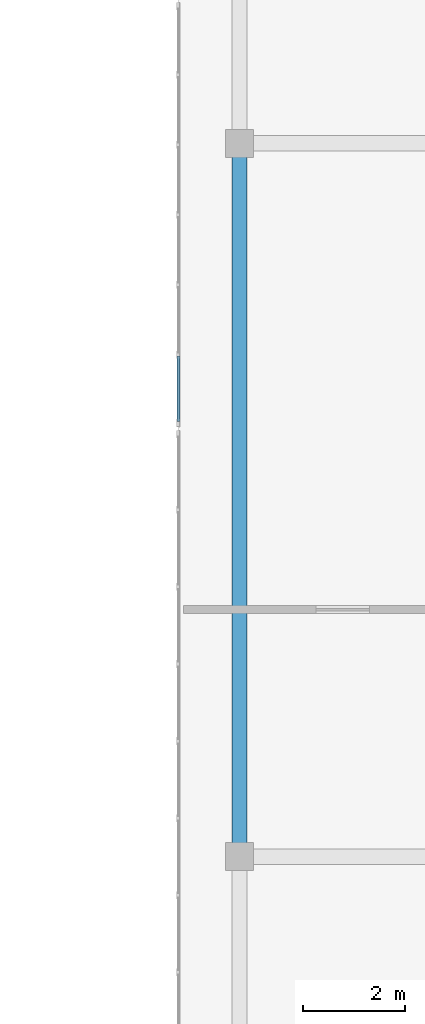
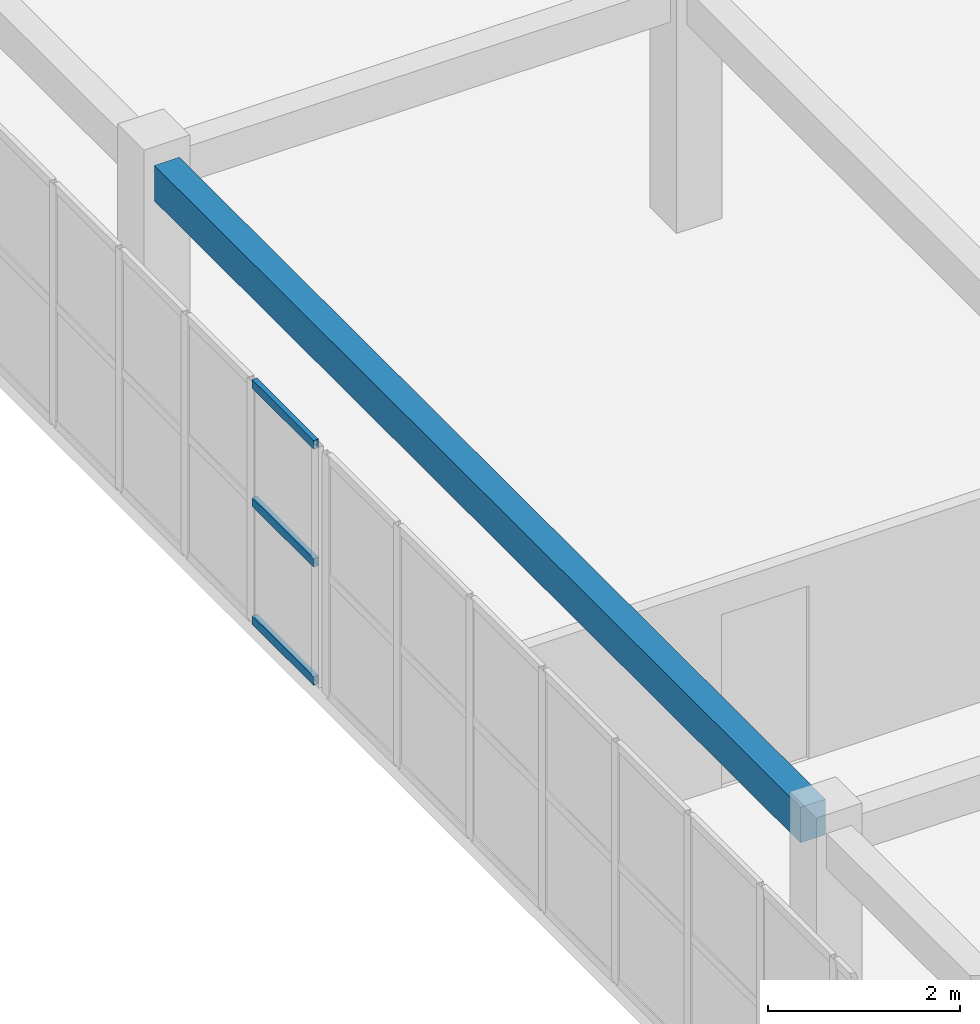
# One storey, part 52 of 148: 3 members, 1 beam, 1 element without a shape of its own.
"""IFC4 building model written with IfcOpenShell, lengths in metres."""

from ifc_helpers import new_model, si_unit, direction, frame, origin, origin_2d, place, context, subcontext, project, spatial, rectangle, hollow_rectangle, extrude, material, layer, layer_set, material_profile, profile_set, type_object, element, aggregate, save


model = new_model("IFC4")

# Units and contexts
model_context = context("Model", 3, precision=1e-05, world=origin(), true_north=direction((0.0, 1.0)))
body_context = subcontext(model_context, "Body", "Model", "MODEL_VIEW")
ifc_project = project(units=[si_unit("LENGTHUNIT", "METRE"), si_unit("AREAUNIT", "SQUARE_METRE"), si_unit("VOLUMEUNIT", "CUBIC_METRE"), si_unit("PLANEANGLEUNIT", "RADIAN"), si_unit("MASSUNIT", "GRAM", prefix="KILO")], contexts=[model_context])

# Site, building, storey
site_placement = place(None, origin())
site = spatial("IfcSite", under=ifc_project, at=site_placement, CompositionType="ELEMENT")
building_placement = place(site_placement, origin())
building = spatial("IfcBuilding", under=site, at=building_placement, Name="Trelvath General Hospital", CompositionType="ELEMENT")
storey_placement = place(building_placement, frame((0.0, 0.0, 12.89990234375)))
storey = spatial("IfcBuildingStorey", under=building, at=storey_placement, Name="L03", CompositionType="ELEMENT", Elevation=12.89990234375)

# Beam
ifc_material_1 = material(Name="Concrete C35/45", Category="concrete")
ifc_material_profile_1 = material_profile(ifc_material_1, rectangle(XDim=0.300048828125, YDim=0.449951171875, at=origin_2d()), Name="RCB300x450")
ifc_profile_set_1 = profile_set([ifc_material_profile_1], Name="Concrete C35/45")
beam_type = type_object("IfcBeamType", Name="Beam RC300x450", PredefinedType="BEAM", material=ifc_profile_set_1)
beam_placement = place(storey_placement, frame((54.39990234375, 59.071044921875, 2.835205078125), z_axis=(0.0, 1.0, 0.0), x_axis=(-1.0, 0.0, 0.0)))
element("IfcBeam", 1, at=beam_placement, inside=storey, type_object=beam_type, Name="Cube Interior Ring Beam CUBE-W-T1 L03", PredefinedType="BEAM", context=body_context, shape_type="SweptSolid", body=[
    extrude(rectangle(XDim=0.300048828125, YDim=0.449951171875, at=origin_2d()), origin(), (0.0, 0.0, 1.0), 13.4580078125),
])

# Curtain wall, members
ifc_material_2 = material(Name="Anodised aluminium and low-E glass", Category="aluminium")
ifc_layer = layer(ifc_material_2, 0.14990234375)
ifc_layer_set = layer_set([ifc_layer], Name="Anodised aluminium and low-E glass")
curtain_wall_type = type_object("IfcCurtainWallType", Name="CW CrystalCube 824 306 15", PredefinedType="USERDEFINED", material=ifc_layer_set)
curtain_wall_placement = place(storey_placement, origin())
curtain_wall = element("IfcCurtainWall", 2, at=curtain_wall_placement, inside=storey, type_object=curtain_wall_type, Name="Crystal Cube Curtain Wall CUBE-W-T1 W4 L03", ObjectType="Unitised Glazed Curtain Wall", PredefinedType="USERDEFINED")
ifc_material_3 = material(Name="Anodised aluminium", Category="aluminium")
ifc_material_profile_2 = material_profile(ifc_material_3, hollow_rectangle(XDim=0.06005859375, YDim=0.110107421875, WallThickness=0.00390625, at=origin_2d()), Name="RHS60x110x4")
ifc_profile_set_2 = profile_set([ifc_material_profile_2], Name="Anodised aluminium")
member_type = type_object("IfcMemberType", Name="CurtainTransom 60x110", PredefinedType="USERDEFINED", material=ifc_profile_set_2)
member_1_placement = place(storey_placement, frame((53.199951171875, 67.340087890625, 0.030029296875), z_axis=(0.0, 1.0, 0.0), x_axis=(-1.0, 0.0, 0.0)))
member_1 = element("IfcMember", 3, at=member_1_placement, type_object=member_type, Name="CW-240 transom 1.1", ObjectType="TRANSOM", PredefinedType="USERDEFINED", context=body_context, shape_type="SweptSolid", body=[
    extrude(hollow_rectangle(XDim=0.06005859375, YDim=0.110107421875, WallThickness=0.00390625, at=origin_2d()), origin(), (0.0, 0.0, 1.0), 1.283203125),
])
member_2_placement = place(storey_placement, frame((53.199951171875, 67.340087890625, 1.530029296875), z_axis=(0.0, 1.0, 0.0), x_axis=(-1.0, 0.0, 0.0)))
member_2 = element("IfcMember", 4, at=member_2_placement, type_object=member_type, Name="CW-240 transom 1.2", ObjectType="TRANSOM", PredefinedType="USERDEFINED", context=body_context, shape_type="SweptSolid", body=[
    extrude(hollow_rectangle(XDim=0.06005859375, YDim=0.110107421875, WallThickness=0.00390625, at=origin_2d()), origin(), (0.0, 0.0, 1.0), 1.283203125),
])
member_3_placement = place(storey_placement, frame((53.199951171875, 67.340087890625, 3.030029296875), z_axis=(0.0, 1.0, 0.0), x_axis=(-1.0, 0.0, 0.0)))
member_3 = element("IfcMember", 5, at=member_3_placement, type_object=member_type, Name="CW-240 transom 1.3", ObjectType="TRANSOM", PredefinedType="USERDEFINED", context=body_context, shape_type="SweptSolid", body=[
    extrude(hollow_rectangle(XDim=0.06005859375, YDim=0.110107421875, WallThickness=0.00390625, at=origin_2d()), origin(), (0.0, 0.0, 1.0), 1.283203125),
])
aggregate(curtain_wall, [member_1, member_2, member_3])

save(model, "model.ifc")
